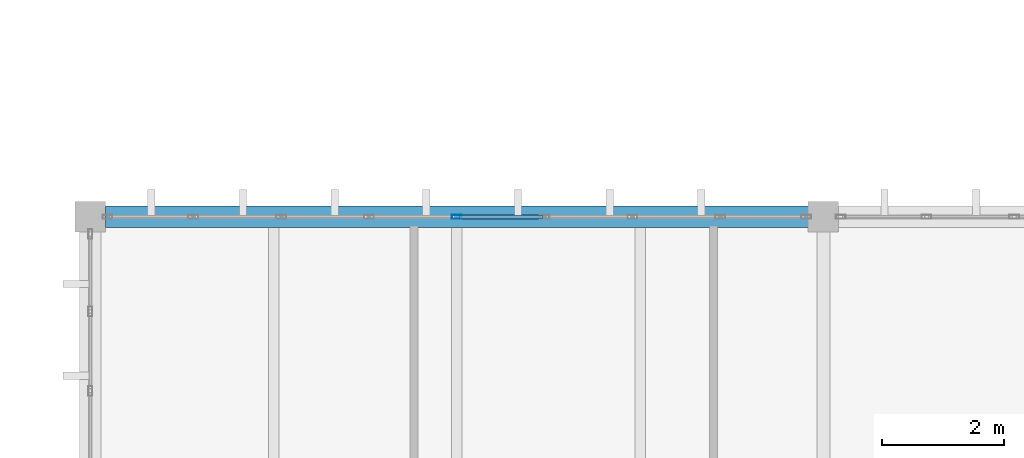
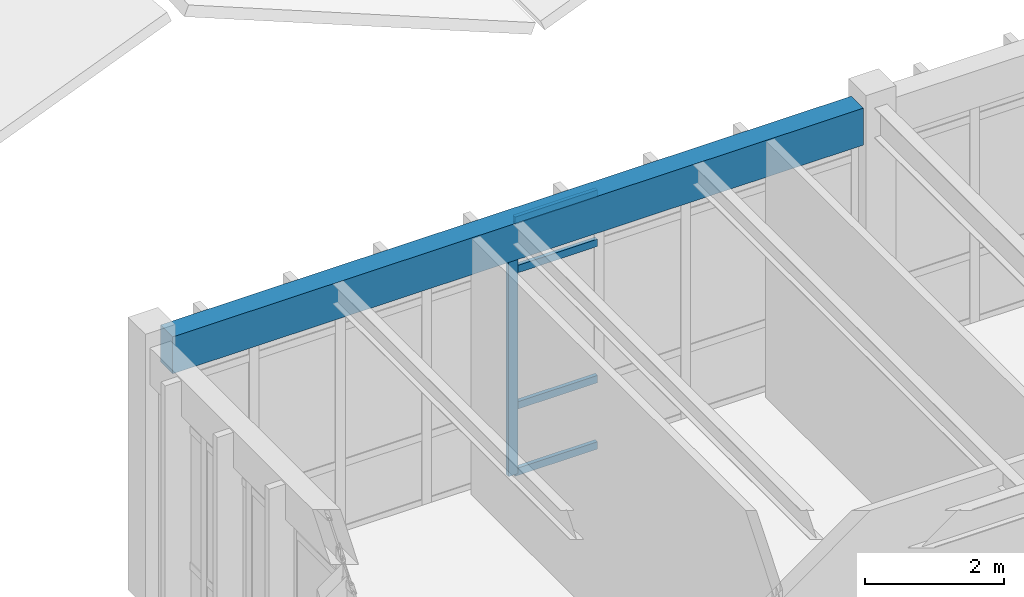
# One storey, part 18 of 236: 5 members, 1 beam, 1 element without a shape of its own.
"""IFC4 building model written with IfcOpenShell, lengths in metres."""

from ifc_helpers import new_model, si_unit, direction, frame, origin, origin_2d, place, context, subcontext, project, spatial, rectangle, hollow_rectangle, extrude, material, layer, layer_set, material_profile, profile_set, type_object, element, aggregate, save


model = new_model("IFC4")

# Units and contexts
model_context = context("Model", 3, precision=1e-05, world=origin(), true_north=direction((0.0, 1.0)))
body_context = subcontext(model_context, "Body", "Model", "MODEL_VIEW")
ifc_project = project(units=[si_unit("LENGTHUNIT", "METRE"), si_unit("AREAUNIT", "SQUARE_METRE"), si_unit("VOLUMEUNIT", "CUBIC_METRE"), si_unit("PLANEANGLEUNIT", "RADIAN"), si_unit("MASSUNIT", "GRAM", prefix="KILO")], contexts=[model_context])

# Site, building, storey
site_placement = place(None, origin())
site = spatial("IfcSite", under=ifc_project, at=site_placement, CompositionType="ELEMENT")
building_placement = place(site_placement, origin())
building = spatial("IfcBuilding", under=site, at=building_placement, Name="Pandanus Reach Market Hall", CompositionType="ELEMENT")
storey_placement = place(building_placement, frame((0.0, 0.0, 5.39990234375)))
storey = spatial("IfcBuildingStorey", under=building, at=storey_placement, Name="L01", CompositionType="ELEMENT", Elevation=5.39990234375)

# Beam
ifc_material_1 = material(Name="Concrete N40 (40 MPa)", Category="concrete")
ifc_material_profile_1 = material_profile(ifc_material_1, rectangle(XDim=0.35009765625, YDim=0.64990234375, at=origin_2d()), Name="RC350x650", Category="LoadBearing")
ifc_profile_set_1 = profile_set([ifc_material_profile_1], Name="Concrete N40 (40 MPa)")
beam_type = type_object("IfcBeamType", Name="BM-RC350-E", PredefinedType="SPANDREL", material=ifc_profile_set_1)
beam_placement = place(storey_placement, frame((0.248046875, 28.800048828125, 4.210205078125), z_axis=(1.0, 0.0, 0.0), x_axis=(0.0, 1.0, 0.0)))
element("IfcBeam", 1, at=beam_placement, inside=storey, type_object=beam_type, Name="Framing beam BM-RC350-E L01.975", PredefinedType="SPANDREL", context=body_context, shape_type="SweptSolid", body=[
    extrude(rectangle(XDim=0.35009765625, YDim=0.64990234375, at=origin_2d()), origin(), (0.0, 0.0, 1.0), 11.50390625),
])

# Curtain wall, members
ifc_material_2 = material(Name="Bronze anodised aluminium and low-E glass", Category="aluminium")
ifc_layer = layer(ifc_material_2, 0.159912109375, Name="CW-17")
ifc_layer_set = layer_set([ifc_layer], Name="Bronze anodised aluminium and low-E glass")
curtain_wall_type = type_object("IfcCurtainWallType", Name="CW-17", PredefinedType="NOTDEFINED", material=ifc_layer_set)
curtain_wall_placement = place(storey_placement, origin())
curtain_wall = element("IfcCurtainWall", 2, at=curtain_wall_placement, inside=storey, type_object=curtain_wall_type, Name="Glazed curtain wall CW-17 CW-0057", PredefinedType="NOTDEFINED")
ifc_material_3 = material(Name="Bronze anodised aluminium", Category="aluminium")
ifc_material_profile_2 = material_profile(ifc_material_3, hollow_rectangle(XDim=0.06494140625, YDim=0.159912109375, WallThickness=0.00390625, at=origin_2d()), Name="ALU65x160", Category="LoadBearing")
ifc_profile_set_2 = profile_set([ifc_material_profile_2], Name="Bronze anodised aluminium")
member_type_1 = type_object("IfcMemberType", Name="CW-M1", PredefinedType="MULLION", material=ifc_profile_set_2)
member_1_placement = place(storey_placement, frame((6.0, 28.800048828125, 0.0), z_axis=(0.0, 0.0, 1.0), x_axis=(0.0, 1.0, 0.0)))
member_1 = element("IfcMember", 3, at=member_1_placement, type_object=member_type_1, Name="CW-17 mullion 5", PredefinedType="MULLION", context=body_context, shape_type="SweptSolid", body=[
    extrude(hollow_rectangle(XDim=0.06494140625, YDim=0.159912109375, WallThickness=0.00390625, at=origin_2d()), origin(), (0.0, 0.0, 1.0), 4.5),
])
ifc_material_profile_3 = material_profile(ifc_material_3, hollow_rectangle(XDim=0.06494140625, YDim=0.1298828125, WallThickness=0.00390625, at=origin_2d()), Name="ALU65x130", Category="LoadBearing")
ifc_profile_set_3 = profile_set([ifc_material_profile_3], Name="Bronze anodised aluminium")
member_type_2 = type_object("IfcMemberType", Name="CW-T1", PredefinedType="USERDEFINED", material=ifc_profile_set_3)
member_2_placement = place(storey_placement, frame((6.032470703125, 28.800048828125, 0.03271484375), z_axis=(1.0, 0.0, 0.0), x_axis=(0.0, 1.0, 0.0)))
member_2 = element("IfcMember", 4, at=member_2_placement, type_object=member_type_2, Name="CW-17 transom 5.1", ObjectType="TRANSOM", PredefinedType="USERDEFINED", context=body_context, shape_type="SweptSolid", body=[
    extrude(hollow_rectangle(XDim=0.06494140625, YDim=0.1298828125, WallThickness=0.00390625, at=origin_2d()), origin(), (0.0, 0.0, 1.0), 1.37255859375),
])
member_3_placement = place(storey_placement, frame((6.032470703125, 28.800048828125, 1.2001953125), z_axis=(1.0, 0.0, 0.0), x_axis=(0.0, 1.0, 0.0)))
member_3 = element("IfcMember", 5, at=member_3_placement, type_object=member_type_2, Name="CW-17 transom 5.2", ObjectType="TRANSOM", PredefinedType="USERDEFINED", context=body_context, shape_type="SweptSolid", body=[
    extrude(hollow_rectangle(XDim=0.06494140625, YDim=0.1298828125, WallThickness=0.00390625, at=origin_2d()), origin(), (0.0, 0.0, 1.0), 1.37255859375),
])
member_4_placement = place(storey_placement, frame((6.032470703125, 28.800048828125, 3.60009765625), z_axis=(1.0, 0.0, 0.0), x_axis=(0.0, 1.0, 0.0)))
member_4 = element("IfcMember", 6, at=member_4_placement, type_object=member_type_2, Name="CW-17 transom 5.3", ObjectType="TRANSOM", PredefinedType="USERDEFINED", context=body_context, shape_type="SweptSolid", body=[
    extrude(hollow_rectangle(XDim=0.06494140625, YDim=0.1298828125, WallThickness=0.00390625, at=origin_2d()), origin(), (0.0, 0.0, 1.0), 1.37255859375),
])
member_5_placement = place(storey_placement, frame((6.032470703125, 28.800048828125, 4.467529296875), z_axis=(1.0, 0.0, 0.0), x_axis=(0.0, 1.0, 0.0)))
member_5 = element("IfcMember", 7, at=member_5_placement, type_object=member_type_2, Name="CW-17 transom 5.4", ObjectType="TRANSOM", PredefinedType="USERDEFINED", context=body_context, shape_type="SweptSolid", body=[
    extrude(hollow_rectangle(XDim=0.06494140625, YDim=0.1298828125, WallThickness=0.00390625, at=origin_2d()), origin(), (0.0, 0.0, 1.0), 1.37255859375),
])
aggregate(curtain_wall, [member_1, member_2, member_3, member_4, member_5])

save(model, "model.ifc")
